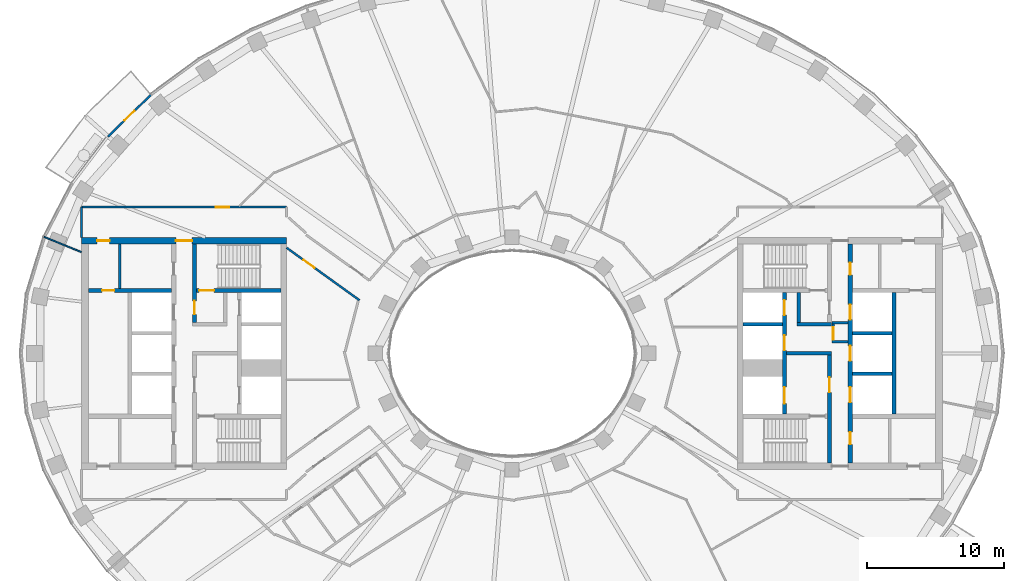
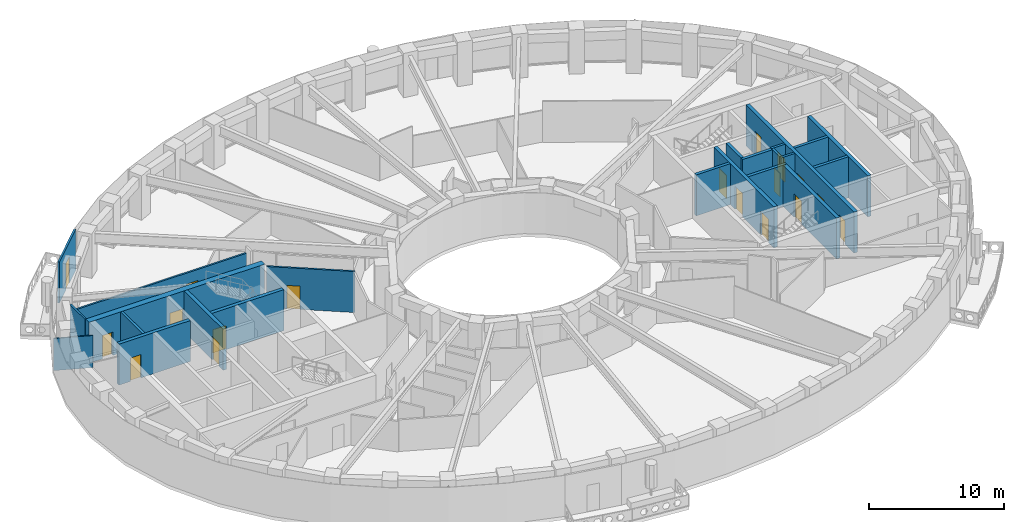
# One storey, part 5 of 16: 23 walls, 18 doors, 18 openings.
"""IFC4 building model written with IfcOpenShell, lengths in metres."""

from ifc_helpers import new_model, si_unit, direction, frame, frame_2d, origin, place, context, subcontext, project, spatial, rectangle, extrude, material, layer, layer_set, type_object, element, fill, save


model = new_model("IFC4")

# Units and contexts
model_context = context("Model", 3, precision=1e-05, world=origin(), true_north=direction((0.0, 1.0)))
body_context = subcontext(model_context, "Body", "Model", "MODEL_VIEW")
ifc_project = project(units=[si_unit("LENGTHUNIT", "METRE"), si_unit("AREAUNIT", "SQUARE_METRE"), si_unit("VOLUMEUNIT", "CUBIC_METRE"), si_unit("PLANEANGLEUNIT", "RADIAN"), si_unit("MASSUNIT", "GRAM", prefix="KILO")], contexts=[model_context])

# Site, building, storey
site_placement = place(None, origin())
site = spatial("IfcSite", under=ifc_project, at=site_placement, CompositionType="ELEMENT")
building_placement = place(site_placement, origin())
building = spatial("IfcBuilding", under=site, at=building_placement, Name="Noorbagh Ring Tower", CompositionType="ELEMENT")
storey_placement = place(building_placement, frame((0.0, 0.0, 178.0)))
storey = spatial("IfcBuildingStorey", under=building, at=storey_placement, Name="L41", CompositionType="ELEMENT", Elevation=178.0)

# Walls
ifc_material_1 = material(Name="Gypsum board on steel studs", Category="steel")
ifc_layer_1 = layer(ifc_material_1, 0.199951171875)
ifc_layer_set_1 = layer_set([ifc_layer_1], Name="Gypsum board on steel studs")
wall_type_1 = type_object("IfcWallType", Name="CORE-PARTITION-200", PredefinedType="PARTITIONING", material=ifc_layer_set_1)
wall_1_placement = place(storey_placement, frame((-28.699951171875, 4.75, 0.0), z_axis=(0.0, 0.0, 1.0), x_axis=(0.0, 1.0, 0.0)))
element("IfcWall", 1, at=wall_1_placement, inside=storey, type_object=wall_type_1, Name="Core partition W", PredefinedType="PARTITIONING", context=body_context, shape_type="SweptSolid", body=[
    extrude(rectangle(XDim=3.25, YDim=0.199951171875, at=frame_2d((1.625, 0.0))), origin(), (0.0, 0.0, 1.0), 3.699951171875),
])
for number, where, z_axis, x_axis, name in (
    (2, (23.39990234375, 0.85009765625, 0.0), (0.0, 0.0, 1.0), (1.0, 0.0, 0.0), "Core partition E"),
    (3, (23.39990234375, 2.25, 0.0), (0.0, 0.0, 1.0), (1.0, 0.0, 0.0), "Core partition E"),
):
    element("IfcWall", number, at=place(storey_placement, frame(where, z_axis=z_axis, x_axis=x_axis)), inside=storey, type_object=wall_type_1, Name=name, PredefinedType="PARTITIONING", context=body_context, shape_type="SweptSolid", body=[
        extrude(rectangle(XDim=1.2001953125, YDim=0.199951171875, at=frame_2d((0.60009765625, 0.0))), origin(), (0.0, 0.0, 1.0), 3.699951171875),
    ])

# Wall, opening, door
wall_2_placement = place(storey_placement, frame((23.5, 0.75, 0.0), z_axis=(0.0, 0.0, 1.0), x_axis=(0.0, 1.0, 0.0)))
wall_2 = element("IfcWall", 4, at=wall_2_placement, inside=storey, type_object=wall_type_1, Name="Core partition E", PredefinedType="PARTITIONING", context=body_context, shape_type="SweptSolid", body=[
    extrude(rectangle(XDim=1.60009765625, YDim=0.199951171875, at=frame_2d((0.800048828125, 0.0))), origin(), (0.0, 0.0, 1.0), 3.699951171875),
])
opening_1_placement = place(wall_2_placement, frame((0.25, 0.0, 0.0)))
opening_1 = element("IfcOpeningElement", 5, at=opening_1_placement, cuts=wall_2, Name="Opening L41-CE17", PredefinedType="OPENING", context=body_context, shape_type="SweptSolid", body=[
    extrude(rectangle(XDim=0.89990234375, YDim=2.10009765625, at=frame_2d((0.449951171875, 1.050048828125))), frame((0.0, 0.10986328125, 0.0), z_axis=(0.0, -1.0, 0.0), x_axis=(1.0, 0.0, 0.0)), (0.0, 0.0, 1.0), 0.219970703125),
])
ifc_material_2 = material(Name="Steel door leaf", Category="steel")
door_type_1 = type_object("IfcDoorType", Name="CORE-DOOR-DROOM", OperationType="SINGLE_SWING_LEFT", PredefinedType="DOOR", material=ifc_material_2)
door_1_placement = place(opening_1_placement, origin())
door_1 = element("IfcDoor", 6, at=door_1_placement, inside=storey, type_object=door_type_1, Name="Core room door L41-CE17", OperationType="SINGLE_SWING_LEFT", OverallHeight=2.10009765625, OverallWidth=0.89990234375, PredefinedType="DOOR", context=body_context, shape_type="SweptSolid", body=[
    extrude(rectangle(XDim=0.89990234375, YDim=2.10009765625, at=frame_2d((0.449951171875, 1.050048828125))), frame((0.0, 0.02490234375, 0.0), z_axis=(0.0, -1.0, 0.0), x_axis=(1.0, 0.0, 0.0)), (0.0, 0.0, 1.0), 0.050048828125),
])
fill(opening_1, door_1)

# Walls
ifc_material_3 = material(Name="Concrete C60/75", Category="concrete")
ifc_layer_2 = layer(ifc_material_3, 0.25)
ifc_layer_set_2 = layer_set([ifc_layer_2], Name="Concrete C60/75")
wall_type_2 = type_object("IfcWallType", Name="CORE-WALL-250-C60-75-EI120", PredefinedType="SHEAR", material=ifc_layer_set_2)
for number, where, z_axis, x_axis, name in (
    (7, (16.89990234375, 2.125, 0.0), (0.0, 0.0, 1.0), (1.0, 0.0, 0.0), "Core wall E"),
    (8, (24.89990234375, -1.47509765625, 0.0), (0.0, 0.0, 1.0), (1.0, 0.0, 0.0), "Core wall E"),
    (9, (24.89990234375, 1.47509765625, 0.0), (0.0, 0.0, 1.0), (1.0, 0.0, 0.0), "Core wall E"),
):
    element("IfcWall", number, at=place(storey_placement, frame(where, z_axis=z_axis, x_axis=x_axis)), inside=storey, type_object=wall_type_2, Name=name, PredefinedType="SHEAR", context=body_context, shape_type="SweptSolid", body=[
        extrude(rectangle(XDim=2.900146484375, YDim=0.25, at=frame_2d((1.4501953125, 0.0))), origin(), (0.0, 0.0, 1.0), 3.699951171875),
    ])
ifc_material_4 = material(Name="Concrete C60/75", Category="concrete")
ifc_layer_3 = layer(ifc_material_4, 0.25)
ifc_layer_set_3 = layer_set([ifc_layer_3], Name="Concrete C60/75")
wall_type_3 = type_object("IfcWallType", Name="CORE-WALL-250-C60-75-EI240", PredefinedType="SHEAR", material=ifc_layer_set_3)
wall_3_placement = place(storey_placement, frame((20.10009765625, 0.0, 0.0), z_axis=(0.0, 0.0, 1.0), x_axis=(1.0, 0.0, 0.0)))
element("IfcWall", 10, at=wall_3_placement, inside=storey, type_object=wall_type_3, Name="Core wall E", PredefinedType="SHEAR", context=body_context, shape_type="SweptSolid", body=[
    extrude(rectangle(XDim=3.27978515625, YDim=0.25, at=frame_2d((1.639892578125, 0.0))), origin(), (0.0, 0.0, 1.0), 3.699951171875),
])
wall_4_placement = place(storey_placement, frame((20.85009765625, 2.125, 0.0), z_axis=(0.0, 0.0, 1.0), x_axis=(1.0, 0.0, 0.0)))
element("IfcWall", 11, at=wall_4_placement, inside=storey, type_object=wall_type_3, Name="Core wall E", PredefinedType="SHEAR", context=body_context, shape_type="SweptSolid", body=[
    extrude(rectangle(XDim=2.52978515625, YDim=0.25, at=frame_2d((1.264892578125, 0.0))), origin(), (0.0, 0.0, 1.0), 3.699951171875),
])
wall_5_placement = place(storey_placement, frame((20.97509765625, 2.25, 0.0), z_axis=(0.0, 0.0, 1.0), x_axis=(0.0, 1.0, 0.0)))
element("IfcWall", 12, at=wall_5_placement, inside=storey, type_object=wall_type_3, Name="Core wall E", PredefinedType="SHEAR", context=body_context, shape_type="SweptSolid", body=[
    extrude(rectangle(XDim=2.199951171875, YDim=0.25, at=frame_2d((1.10009765625, 0.0))), origin(), (0.0, 0.0, 1.0), 3.699951171875),
])
ifc_material_5 = material(Name="Concrete C60/75", Category="concrete")
ifc_layer_4 = layer(ifc_material_5, 0.300048828125)
ifc_layer_set_4 = layer_set([ifc_layer_4], Name="Concrete C60/75")
wall_type_4 = type_object("IfcWallType", Name="CORE-WALL-300-C60-75-EI120", PredefinedType="SHEAR", material=ifc_layer_set_4)
wall_6_placement = place(storey_placement, frame((27.949951171875, -4.449951171875, 0.0), z_axis=(0.0, 0.0, 1.0), x_axis=(0.0, 1.0, 0.0)))
element("IfcWall", 13, at=wall_6_placement, inside=storey, type_object=wall_type_4, Name="Core wall E", PredefinedType="SHEAR", context=body_context, shape_type="SweptSolid", body=[
    extrude(rectangle(XDim=8.89990234375, YDim=0.300048828125, at=frame_2d((4.449951171875, 0.0))), origin(), (0.0, 0.0, 1.0), 3.699951171875),
])

# Wall, openings, doors
wall_7_placement = place(storey_placement, frame((19.949951171875, -4.449951171875, 0.0), z_axis=(0.0, 0.0, 1.0), x_axis=(0.0, 1.0, 0.0)))
wall_7 = element("IfcWall", 14, at=wall_7_placement, inside=storey, type_object=wall_type_4, Name="Core wall E", PredefinedType="SHEAR", context=body_context, shape_type="SweptSolid", body=[
    extrude(rectangle(XDim=8.89990234375, YDim=0.300048828125, at=frame_2d((4.449951171875, 0.0))), origin(), (0.0, 0.0, 1.0), 3.699951171875),
])
opening_2_placement = place(wall_7_placement, frame((0.77490234375, 0.0, 0.0)))
opening_2 = element("IfcOpeningElement", 15, at=opening_2_placement, cuts=wall_7, Name="Opening L41-CE01", PredefinedType="OPENING", context=body_context, shape_type="SweptSolid", body=[
    extrude(rectangle(XDim=1.199951171875, YDim=2.10009765625, at=frame_2d((0.60009765625, 1.050048828125))), frame((0.0, 0.16015625, 0.0), z_axis=(0.0, -1.0, 0.0), x_axis=(1.0, 0.0, 0.0)), (0.0, 0.0, 1.0), 0.320068359375),
])
opening_3_placement = place(wall_7_placement, frame((4.675048828125, 0.0, 0.0)))
opening_3 = element("IfcOpeningElement", 16, at=opening_3_placement, cuts=wall_7, Name="Opening L41-CE02", PredefinedType="OPENING", context=body_context, shape_type="SweptSolid", body=[
    extrude(rectangle(XDim=1.10009765625, YDim=2.10009765625, at=frame_2d((0.550048828125, 1.050048828125))), frame((0.0, 0.16015625, 0.0), z_axis=(0.0, -1.0, 0.0), x_axis=(1.0, 0.0, 0.0)), (0.0, 0.0, 1.0), 0.320068359375),
])
opening_4_placement = place(wall_7_placement, frame((7.25, 0.0, 0.0)))
opening_4 = element("IfcOpeningElement", 17, at=opening_4_placement, cuts=wall_7, Name="Opening L41-CE03", PredefinedType="OPENING", context=body_context, shape_type="SweptSolid", body=[
    extrude(rectangle(XDim=1.10009765625, YDim=2.10009765625, at=frame_2d((0.550048828125, 1.050048828125))), frame((0.0, 0.16015625, 0.0), z_axis=(0.0, -1.0, 0.0), x_axis=(1.0, 0.0, 0.0)), (0.0, 0.0, 1.0), 0.320068359375),
])
ifc_material_6 = material(Name="Steel door leaf", Category="steel")
door_type_2 = type_object("IfcDoorType", Name="CORE-DOOR-LD", OperationType="DOUBLE_DOOR_SLIDING", PredefinedType="DOOR", material=ifc_material_6)
door_2_placement = place(opening_3_placement, origin())
door_2 = element("IfcDoor", 18, at=door_2_placement, inside=storey, type_object=door_type_2, Name="Landing door HR7 L41-CE02", OperationType="DOUBLE_DOOR_SLIDING", OverallHeight=2.10009765625, OverallWidth=1.10009765625, PredefinedType="DOOR", context=body_context, shape_type="SweptSolid", body=[
    extrude(rectangle(XDim=1.10009765625, YDim=2.10009765625, at=frame_2d((0.550048828125, 1.050048828125))), frame((0.0, 0.02490234375, 0.0), z_axis=(0.0, -1.0, 0.0), x_axis=(1.0, 0.0, 0.0)), (0.0, 0.0, 1.0), 0.050048828125),
])
fill(opening_3, door_2)
door_3_placement = place(opening_4_placement, origin())
door_3 = element("IfcDoor", 19, at=door_3_placement, inside=storey, type_object=door_type_2, Name="Landing door HR8 L41-CE03", OperationType="DOUBLE_DOOR_SLIDING", OverallHeight=2.10009765625, OverallWidth=1.10009765625, PredefinedType="DOOR", context=body_context, shape_type="SweptSolid", body=[
    extrude(rectangle(XDim=1.10009765625, YDim=2.10009765625, at=frame_2d((0.550048828125, 1.050048828125))), frame((0.0, 0.02490234375, 0.0), z_axis=(0.0, -1.0, 0.0), x_axis=(1.0, 0.0, 0.0)), (0.0, 0.0, 1.0), 0.050048828125),
])
fill(opening_4, door_3)
ifc_material_7 = material(Name="Steel door leaf", Category="steel")
door_type_3 = type_object("IfcDoorType", Name="CORE-DOOR-LDW", OperationType="DOUBLE_DOOR_SLIDING", PredefinedType="DOOR", material=ifc_material_7)
door_4_placement = place(opening_2_placement, origin())
door_4 = element("IfcDoor", 20, at=door_4_placement, inside=storey, type_object=door_type_3, Name="Landing door FF2 L41-CE01", OperationType="DOUBLE_DOOR_SLIDING", OverallHeight=2.10009765625, OverallWidth=1.199951171875, PredefinedType="DOOR", context=body_context, shape_type="SweptSolid", body=[
    extrude(rectangle(XDim=1.199951171875, YDim=2.10009765625, at=frame_2d((0.60009765625, 1.050048828125))), frame((0.0, 0.02490234375, 0.0), z_axis=(0.0, -1.0, 0.0), x_axis=(1.0, 0.0, 0.0)), (0.0, 0.0, 1.0), 0.050048828125),
])
fill(opening_2, door_4)

wall_8_placement = place(storey_placement, frame((24.75, -8.0, 0.0), z_axis=(0.0, 0.0, 1.0), x_axis=(0.0, 1.0, 0.0)))
wall_8 = element("IfcWall", 21, at=wall_8_placement, inside=storey, type_object=wall_type_4, Name="Core wall E", PredefinedType="SHEAR", context=body_context, shape_type="SweptSolid", body=[
    extrude(rectangle(XDim=16.0, YDim=0.300048828125, at=frame_2d((8.0, 0.0))), origin(), (0.0, 0.0, 1.0), 3.699951171875),
])
opening_5_placement = place(wall_8_placement, frame((4.425048828125, 0.0, 0.0)))
opening_5 = element("IfcOpeningElement", 22, at=opening_5_placement, cuts=wall_8, Name="Opening L41-CE04", PredefinedType="OPENING", context=body_context, shape_type="SweptSolid", body=[
    extrude(rectangle(XDim=1.10009765625, YDim=2.10009765625, at=frame_2d((0.550048828125, 1.050048828125))), frame((0.0, 0.16015625, 0.0), z_axis=(0.0, -1.0, 0.0), x_axis=(1.0, 0.0, 0.0)), (0.0, 0.0, 1.0), 0.320068359375),
])
opening_6_placement = place(wall_8_placement, frame((7.449951171875, 0.0, 0.0)))
opening_6 = element("IfcOpeningElement", 23, at=opening_6_placement, cuts=wall_8, Name="Opening L41-CE05", PredefinedType="OPENING", context=body_context, shape_type="SweptSolid", body=[
    extrude(rectangle(XDim=1.10009765625, YDim=2.10009765625, at=frame_2d((0.550048828125, 1.050048828125))), frame((0.0, 0.16015625, 0.0), z_axis=(0.0, -1.0, 0.0), x_axis=(1.0, 0.0, 0.0)), (0.0, 0.0, 1.0), 0.320068359375),
])
opening_7_placement = place(wall_8_placement, frame((10.47509765625, 0.0, 0.0)))
opening_7 = element("IfcOpeningElement", 24, at=opening_7_placement, cuts=wall_8, Name="Opening L41-CE06", PredefinedType="OPENING", context=body_context, shape_type="SweptSolid", body=[
    extrude(rectangle(XDim=1.10009765625, YDim=2.10009765625, at=frame_2d((0.550048828125, 1.050048828125))), frame((0.0, 0.16015625, 0.0), z_axis=(0.0, -1.0, 0.0), x_axis=(1.0, 0.0, 0.0)), (0.0, 0.0, 1.0), 0.320068359375),
])
opening_8_placement = place(wall_8_placement, frame((13.75, 0.0, 0.0)))
opening_8 = element("IfcOpeningElement", 25, at=opening_8_placement, cuts=wall_8, Name="Opening L41-CE13", PredefinedType="OPENING", context=body_context, shape_type="SweptSolid", body=[
    extrude(rectangle(XDim=0.89990234375, YDim=2.10009765625, at=frame_2d((0.449951171875, 1.050048828125))), frame((0.0, 0.16015625, 0.0), z_axis=(0.0, -1.0, 0.0), x_axis=(1.0, 0.0, 0.0)), (0.0, 0.0, 1.0), 0.320068359375),
])
opening_9_placement = place(wall_8_placement, frame((1.35009765625, 0.0, 0.0)))
opening_9 = element("IfcOpeningElement", 26, at=opening_9_placement, cuts=wall_8, Name="Opening L41-CE15", PredefinedType="OPENING", context=body_context, shape_type="SweptSolid", body=[
    extrude(rectangle(XDim=0.89990234375, YDim=2.10009765625, at=frame_2d((0.449951171875, 1.050048828125))), frame((0.0, 0.16015625, 0.0), z_axis=(0.0, -1.0, 0.0), x_axis=(1.0, 0.0, 0.0)), (0.0, 0.0, 1.0), 0.320068359375),
])
door_5_placement = place(opening_8_placement, origin())
door_5 = element("IfcDoor", 27, at=door_5_placement, inside=storey, type_object=door_type_1, Name="Core room door L41-CE13", OperationType="SINGLE_SWING_LEFT", OverallHeight=2.10009765625, OverallWidth=0.89990234375, PredefinedType="DOOR", context=body_context, shape_type="SweptSolid", body=[
    extrude(rectangle(XDim=0.89990234375, YDim=2.10009765625, at=frame_2d((0.449951171875, 1.050048828125))), frame((0.0, 0.02490234375, 0.0), z_axis=(0.0, -1.0, 0.0), x_axis=(1.0, 0.0, 0.0)), (0.0, 0.0, 1.0), 0.050048828125),
])
fill(opening_8, door_5)
door_6_placement = place(opening_9_placement, origin())
door_6 = element("IfcDoor", 28, at=door_6_placement, inside=storey, type_object=door_type_1, Name="Core room door L41-CE15", OperationType="SINGLE_SWING_RIGHT", OverallHeight=2.10009765625, OverallWidth=0.89990234375, PredefinedType="DOOR", context=body_context, shape_type="SweptSolid", body=[
    extrude(rectangle(XDim=0.89990234375, YDim=2.10009765625, at=frame_2d((0.449951171875, 1.050048828125))), frame((0.0, 0.02490234375, 0.0), z_axis=(0.0, -1.0, 0.0), x_axis=(1.0, 0.0, 0.0)), (0.0, 0.0, 1.0), 0.050048828125),
])
fill(opening_9, door_6)
door_7_placement = place(opening_5_placement, origin())
door_7 = element("IfcDoor", 29, at=door_7_placement, inside=storey, type_object=door_type_2, Name="Landing door HR9 L41-CE04", OperationType="DOUBLE_DOOR_SLIDING", OverallHeight=2.10009765625, OverallWidth=1.10009765625, PredefinedType="DOOR", context=body_context, shape_type="SweptSolid", body=[
    extrude(rectangle(XDim=1.10009765625, YDim=2.10009765625, at=frame_2d((0.550048828125, 1.050048828125))), frame((0.0, 0.02490234375, 0.0), z_axis=(0.0, -1.0, 0.0), x_axis=(1.0, 0.0, 0.0)), (0.0, 0.0, 1.0), 0.050048828125),
])
fill(opening_5, door_7)
door_8_placement = place(opening_6_placement, origin())
door_8 = element("IfcDoor", 30, at=door_8_placement, inside=storey, type_object=door_type_2, Name="Landing door HR10 L41-CE05", OperationType="DOUBLE_DOOR_SLIDING", OverallHeight=2.10009765625, OverallWidth=1.10009765625, PredefinedType="DOOR", context=body_context, shape_type="SweptSolid", body=[
    extrude(rectangle(XDim=1.10009765625, YDim=2.10009765625, at=frame_2d((0.550048828125, 1.050048828125))), frame((0.0, 0.02490234375, 0.0), z_axis=(0.0, -1.0, 0.0), x_axis=(1.0, 0.0, 0.0)), (0.0, 0.0, 1.0), 0.050048828125),
])
fill(opening_6, door_8)
door_9_placement = place(opening_7_placement, origin())
door_9 = element("IfcDoor", 31, at=door_9_placement, inside=storey, type_object=door_type_2, Name="Landing door HR11 L41-CE06", OperationType="DOUBLE_DOOR_SLIDING", OverallHeight=2.10009765625, OverallWidth=1.10009765625, PredefinedType="DOOR", context=body_context, shape_type="SweptSolid", body=[
    extrude(rectangle(XDim=1.10009765625, YDim=2.10009765625, at=frame_2d((0.550048828125, 1.050048828125))), frame((0.0, 0.02490234375, 0.0), z_axis=(0.0, -1.0, 0.0), x_axis=(1.0, 0.0, 0.0)), (0.0, 0.0, 1.0), 0.050048828125),
])
fill(opening_7, door_9)

# Wall, opening, door
ifc_material_8 = material(Name="Concrete C60/75", Category="concrete")
ifc_layer_5 = layer(ifc_material_8, 0.300048828125)
ifc_layer_set_5 = layer_set([ifc_layer_5], Name="Concrete C60/75")
wall_type_5 = type_object("IfcWallType", Name="CORE-WALL-300-C60-75-EI240", PredefinedType="SHEAR", material=ifc_layer_set_5)
wall_9_placement = place(storey_placement, frame((-24.89990234375, 4.60009765625, 0.0), z_axis=(0.0, 0.0, 1.0), x_axis=(-1.0, 0.0, 0.0)))
wall_9 = element("IfcWall", 32, at=wall_9_placement, inside=storey, type_object=wall_type_5, Name="Core wall W", PredefinedType="SHEAR", context=body_context, shape_type="SweptSolid", body=[
    extrude(rectangle(XDim=6.10009765625, YDim=0.300048828125, at=frame_2d((3.050048828125, 0.0))), origin(), (0.0, 0.0, 1.0), 3.699951171875),
])
opening_10_placement = place(wall_9_placement, frame((4.199951171875, 0.0, 0.0)))
opening_10 = element("IfcOpeningElement", 33, at=opening_10_placement, cuts=wall_9, Name="Opening L41-CW16", PredefinedType="OPENING", context=body_context, shape_type="SweptSolid", body=[
    extrude(rectangle(XDim=0.89990234375, YDim=2.10009765625, at=frame_2d((0.449951171875, 1.050048828125))), frame((0.0, 0.16015625, 0.0), z_axis=(0.0, -1.0, 0.0), x_axis=(1.0, 0.0, 0.0)), (0.0, 0.0, 1.0), 0.320068359375),
])
door_10_placement = place(opening_10_placement, origin())
door_10 = element("IfcDoor", 34, at=door_10_placement, inside=storey, type_object=door_type_1, Name="Core room door L41-CW16", OperationType="SINGLE_SWING_LEFT", OverallHeight=2.10009765625, OverallWidth=0.89990234375, PredefinedType="DOOR", context=body_context, shape_type="SweptSolid", body=[
    extrude(rectangle(XDim=0.89990234375, YDim=2.10009765625, at=frame_2d((0.449951171875, 1.050048828125))), frame((0.0, 0.02490234375, 0.0), z_axis=(0.0, -1.0, 0.0), x_axis=(1.0, 0.0, 0.0)), (0.0, 0.0, 1.0), 0.050048828125),
])
fill(opening_10, door_10)

wall_10_placement = place(storey_placement, frame((-23.22998046875, 2.25, 0.0), z_axis=(0.0, 0.0, 1.0), x_axis=(0.0, 1.0, 0.0)))
wall_10 = element("IfcWall", 35, at=wall_10_placement, inside=storey, type_object=wall_type_5, Name="Core wall W", PredefinedType="SHEAR", context=body_context, shape_type="SweptSolid", body=[
    extrude(rectangle(XDim=5.75, YDim=0.300048828125, at=frame_2d((2.875, 0.0))), origin(), (0.0, 0.0, 1.0), 3.699951171875),
])
opening_11_placement = place(wall_10_placement, frame((0.60009765625, 0.0, 0.0)))
opening_11 = element("IfcOpeningElement", 36, at=opening_11_placement, cuts=wall_10, Name="Opening L41-CW09", PredefinedType="OPENING", context=body_context, shape_type="SweptSolid", body=[
    extrude(rectangle(XDim=1.0, YDim=2.10009765625, at=frame_2d((0.5, 1.050048828125))), frame((0.0, 0.16015625, 0.0), z_axis=(0.0, -1.0, 0.0), x_axis=(1.0, 0.0, 0.0)), (0.0, 0.0, 1.0), 0.320068359375),
])
ifc_material_9 = material(Name="Steel door leaf", Category="steel")
door_type_4 = type_object("IfcDoorType", Name="CORE-DOOR-DVEST", OperationType="SINGLE_SWING_LEFT", PredefinedType="DOOR", material=ifc_material_9)
door_11_placement = place(opening_11_placement, origin())
door_11 = element("IfcDoor", 37, at=door_11_placement, inside=storey, type_object=door_type_4, Name="Stair vestibule door L41-CW09", OperationType="SINGLE_SWING_LEFT", OverallHeight=2.10009765625, OverallWidth=1.0, PredefinedType="DOOR", context=body_context, shape_type="SweptSolid", body=[
    extrude(rectangle(XDim=1.0, YDim=2.10009765625, at=frame_2d((0.5, 1.050048828125))), frame((0.0, 0.02490234375, 0.0), z_axis=(0.0, -1.0, 0.0), x_axis=(1.0, 0.0, 0.0)), (0.0, 0.0, 1.0), 0.050048828125),
])
fill(opening_11, door_11)

wall_11_placement = place(storey_placement, frame((-16.89990234375, 4.60009765625, 0.0), z_axis=(0.0, 0.0, 1.0), x_axis=(-1.0, 0.0, 0.0)))
wall_11 = element("IfcWall", 38, at=wall_11_placement, inside=storey, type_object=wall_type_5, Name="Core wall W", PredefinedType="SHEAR", context=body_context, shape_type="SweptSolid", body=[
    extrude(rectangle(XDim=6.18017578125, YDim=0.300048828125, at=frame_2d((3.090087890625, 0.0))), origin(), (0.0, 0.0, 1.0), 3.699951171875),
])
opening_12_placement = place(wall_11_placement, frame((4.89990234375, 0.0, 0.0)))
opening_12 = element("IfcOpeningElement", 39, at=opening_12_placement, cuts=wall_11, Name="Opening L41-CW06", PredefinedType="OPENING", context=body_context, shape_type="SweptSolid", body=[
    extrude(rectangle(XDim=1.10009765625, YDim=2.10009765625, at=frame_2d((0.550048828125, 1.050048828125))), frame((0.0, 0.16015625, 0.0), z_axis=(0.0, -1.0, 0.0), x_axis=(1.0, 0.0, 0.0)), (0.0, 0.0, 1.0), 0.320068359375),
])
ifc_material_10 = material(Name="Steel door leaf", Category="steel")
door_type_5 = type_object("IfcDoorType", Name="CORE-DOOR-DSTAIR", OperationType="SINGLE_SWING_LEFT", PredefinedType="DOOR", material=ifc_material_10)
door_12_placement = place(opening_12_placement, origin())
door_12 = element("IfcDoor", 40, at=door_12_placement, inside=storey, type_object=door_type_5, Name="Stair door ST1 L41-CW06", OperationType="SINGLE_SWING_RIGHT", OverallHeight=2.10009765625, OverallWidth=1.10009765625, PredefinedType="DOOR", context=body_context, shape_type="SweptSolid", body=[
    extrude(rectangle(XDim=1.10009765625, YDim=2.10009765625, at=frame_2d((0.550048828125, 1.050048828125))), frame((0.0, 0.02490234375, 0.0), z_axis=(0.0, -1.0, 0.0), x_axis=(1.0, 0.0, 0.0)), (0.0, 0.0, 1.0), 0.050048828125),
])
fill(opening_12, door_12)

wall_12_placement = place(storey_placement, frame((23.22998046875, -8.0, 0.0), z_axis=(0.0, 0.0, 1.0), x_axis=(0.0, 1.0, 0.0)))
wall_12 = element("IfcWall", 41, at=wall_12_placement, inside=storey, type_object=wall_type_5, Name="Core wall E", PredefinedType="SHEAR", context=body_context, shape_type="SweptSolid", body=[
    extrude(rectangle(XDim=7.875, YDim=0.300048828125, at=frame_2d((3.9375, 0.0))), origin(), (0.0, 0.0, 1.0), 3.699951171875),
])
opening_13_placement = place(wall_12_placement, frame((5.14990234375, 0.0, 0.0)))
opening_13 = element("IfcOpeningElement", 42, at=opening_13_placement, cuts=wall_12, Name="Opening L41-CE09", PredefinedType="OPENING", context=body_context, shape_type="SweptSolid", body=[
    extrude(rectangle(XDim=1.10009765625, YDim=2.10009765625, at=frame_2d((0.550048828125, 1.050048828125))), frame((0.0, 0.16015625, 0.0), z_axis=(0.0, -1.0, 0.0), x_axis=(1.0, 0.0, 0.0)), (0.0, 0.0, 1.0), 0.320068359375),
])
ifc_material_11 = material(Name="Steel door leaf", Category="steel")
door_type_6 = type_object("IfcDoorType", Name="CORE-DOOR-DFF", OperationType="SINGLE_SWING_LEFT", PredefinedType="DOOR", material=ifc_material_11)
door_13_placement = place(opening_13_placement, origin())
door_13 = element("IfcDoor", 43, at=door_13_placement, inside=storey, type_object=door_type_6, Name="Firefighting lobby door L41-CE09", OperationType="SINGLE_SWING_RIGHT", OverallHeight=2.10009765625, OverallWidth=1.10009765625, PredefinedType="DOOR", context=body_context, shape_type="SweptSolid", body=[
    extrude(rectangle(XDim=1.10009765625, YDim=2.10009765625, at=frame_2d((0.550048828125, 1.050048828125))), frame((0.0, 0.02490234375, 0.0), z_axis=(0.0, -1.0, 0.0), x_axis=(1.0, 0.0, 0.0)), (0.0, 0.0, 1.0), 0.050048828125),
])
fill(opening_13, door_13)

# Wall, openings, doors
ifc_material_12 = material(Name="Concrete C60/75", Category="concrete")
ifc_layer_6 = layer(ifc_material_12, 0.5)
ifc_layer_set_6 = layer_set([ifc_layer_6], Name="Concrete C60/75")
wall_type_6 = type_object("IfcWallType", Name="CORE-WALL-500-C60-75-EI240", PredefinedType="SHEAR", material=ifc_layer_set_6)
wall_13_placement = place(storey_placement, frame((-16.5, 8.25, 0.0), z_axis=(0.0, 0.0, 1.0), x_axis=(-1.0, 0.0, 0.0)))
wall_13 = element("IfcWall", 44, at=wall_13_placement, inside=storey, type_object=wall_type_6, Name="Core wall W", PredefinedType="SHEAR", context=body_context, shape_type="SweptSolid", body=[
    extrude(rectangle(XDim=15.0, YDim=0.5, at=frame_2d((7.5, 0.0))), origin(), (0.0, 0.0, 1.0), 3.699951171875),
])
opening_14_placement = place(wall_13_placement, frame((6.89990234375, 0.0, 0.0)))
opening_14 = element("IfcOpeningElement", 45, at=opening_14_placement, cuts=wall_13, Name="Opening L41-CW10", PredefinedType="OPENING", context=body_context, shape_type="SweptSolid", body=[
    extrude(rectangle(XDim=1.199951171875, YDim=2.10009765625, at=frame_2d((0.60009765625, 1.050048828125))), frame((0.0, 0.260009765625, 0.0), z_axis=(0.0, -1.0, 0.0), x_axis=(1.0, 0.0, 0.0)), (0.0, 0.0, 1.0), 0.52001953125),
])
opening_15_placement = place(wall_13_placement, frame((12.949951171875, 0.0, 0.0)))
opening_15 = element("IfcOpeningElement", 46, at=opening_15_placement, cuts=wall_13, Name="Opening L41-CW13", PredefinedType="OPENING", context=body_context, shape_type="SweptSolid", body=[
    extrude(rectangle(XDim=0.89990234375, YDim=2.10009765625, at=frame_2d((0.449951171875, 1.050048828125))), frame((0.0, 0.260009765625, 0.0), z_axis=(0.0, -1.0, 0.0), x_axis=(1.0, 0.0, 0.0)), (0.0, 0.0, 1.0), 0.52001953125),
])
door_14_placement = place(opening_15_placement, origin())
door_14 = element("IfcDoor", 47, at=door_14_placement, inside=storey, type_object=door_type_1, Name="Core room door L41-CW13", OperationType="SINGLE_SWING_RIGHT", OverallHeight=2.10009765625, OverallWidth=0.89990234375, PredefinedType="DOOR", context=body_context, shape_type="SweptSolid", body=[
    extrude(rectangle(XDim=0.89990234375, YDim=2.10009765625, at=frame_2d((0.449951171875, 1.050048828125))), frame((0.0, 0.02490234375, 0.0), z_axis=(0.0, -1.0, 0.0), x_axis=(1.0, 0.0, 0.0)), (0.0, 0.0, 1.0), 0.050048828125),
])
fill(opening_15, door_14)
ifc_material_13 = material(Name="Steel door leaf", Category="steel")
door_type_7 = type_object("IfcDoorType", Name="CORE-DOOR-PORT", OperationType="DOUBLE_DOOR_DOUBLE_SWING", PredefinedType="DOOR", material=ifc_material_13)
door_15_placement = place(opening_14_placement, origin())
door_15 = element("IfcDoor", 48, at=door_15_placement, inside=storey, type_object=door_type_7, Name="Core entrance door L41-CW10", OperationType="DOUBLE_DOOR_DOUBLE_SWING", OverallHeight=2.10009765625, OverallWidth=1.199951171875, PredefinedType="DOOR", context=body_context, shape_type="SweptSolid", body=[
    extrude(rectangle(XDim=1.199951171875, YDim=2.10009765625, at=frame_2d((0.60009765625, 1.050048828125))), frame((0.0, 0.02490234375, 0.0), z_axis=(0.0, -1.0, 0.0), x_axis=(1.0, 0.0, 0.0)), (0.0, 0.0, 1.0), 0.050048828125),
])
fill(opening_14, door_15)

# Wall
ifc_material_14 = material(Name="Gypsum board on steel studs", Category="steel")
ifc_layer_7 = layer(ifc_material_14, 0.14990234375)
ifc_layer_set_7 = layer_set([ifc_layer_7], Name="Gypsum board on steel studs")
wall_type_7 = type_object("IfcWallType", Name="CORRIDOR PARTITION 150 EI 30", PredefinedType="PARTITIONING", material=ifc_layer_set_7)
wall_14_placement = place(storey_placement, frame((-31.5, 8.5, 0.0), z_axis=(0.0, 0.0, 1.0), x_axis=(0.0, 1.0, 0.0)))
element("IfcWall", 49, at=wall_14_placement, inside=storey, type_object=wall_type_7, Name="L41/wall/P04", PredefinedType="PARTITIONING", context=body_context, shape_type="SweptSolid", body=[
    extrude(rectangle(XDim=2.199951171875, YDim=0.14990234375, at=frame_2d((1.10009765625, 0.0))), origin(), (0.0, 0.0, 1.0), 3.699951171875),
])

# Wall, opening, door
wall_15_placement = place(storey_placement, frame((-31.5, 10.699951171875, 0.0), z_axis=(0.0, 0.0, 1.0), x_axis=(1.0, 0.0, 0.0)))
wall_15 = element("IfcWall", 50, at=wall_15_placement, inside=storey, type_object=wall_type_7, Name="L41/wall/P05", PredefinedType="PARTITIONING", context=body_context, shape_type="SweptSolid", body=[
    extrude(rectangle(XDim=15.0, YDim=0.14990234375, at=frame_2d((7.5, 0.0))), origin(), (0.0, 0.0, 1.0), 3.10009765625),
])
opening_16_placement = place(wall_15_placement, frame((9.819091796875, 0.0, 0.0)))
opening_16 = element("IfcOpeningElement", 51, at=opening_16_placement, cuts=wall_15, Name="Opening D1", PredefinedType="OPENING", context=body_context, shape_type="SweptSolid", body=[
    extrude(rectangle(XDim=1.0, YDim=2.10009765625, at=frame_2d((0.5, 1.050048828125))), frame((0.0, 0.0849609375, 0.0), z_axis=(0.0, -1.0, 0.0), x_axis=(1.0, 0.0, 0.0)), (0.0, 0.0, 1.0), 0.169921875),
])
ifc_material_15 = material(Name="Timber, painted", Category="wood")
door_type_8 = type_object("IfcDoorType", Name="DOOR 1000 X 2100 FD30", OperationType="SINGLE_SWING_LEFT", PredefinedType="DOOR", material=ifc_material_15)
door_16_placement = place(opening_16_placement, origin())
door_16 = element("IfcDoor", 52, at=door_16_placement, inside=storey, type_object=door_type_8, Name="L41-D07", OperationType="SINGLE_SWING_LEFT", OverallHeight=2.10009765625, OverallWidth=1.0, PredefinedType="DOOR", context=body_context, shape_type="SweptSolid", body=[
    extrude(rectangle(XDim=1.0, YDim=2.10009765625, at=frame_2d((0.5, 1.050048828125))), frame((0.0, 0.02490234375, 0.0), z_axis=(0.0, -1.0, 0.0), x_axis=(1.0, 0.0, 0.0)), (0.0, 0.0, 1.0), 0.050048828125),
])
fill(opening_16, door_16)

wall_16_placement = place(storey_placement, frame((-16.5, 7.735107421875, 0.0), z_axis=(0.0, 0.0, 1.0), x_axis=(0.811616692984, -0.584190331715, 0.0)))
wall_16 = element("IfcWall", 53, at=wall_16_placement, inside=storey, type_object=wall_type_7, Name="L41/wall/P17", PredefinedType="PARTITIONING", context=body_context, shape_type="SweptSolid", body=[
    extrude(rectangle(XDim=6.578369140625, YDim=0.14990234375, at=frame_2d((3.2890625, 0.0))), origin(), (0.0, 0.0, 1.0), 3.699951171875),
])
opening_17_placement = place(wall_16_placement, frame((1.514892578125, 0.0, 0.0)))
opening_17 = element("IfcOpeningElement", 54, at=opening_17_placement, cuts=wall_16, Name="Opening D1", PredefinedType="OPENING", context=body_context, shape_type="SweptSolid", body=[
    extrude(rectangle(XDim=1.0, YDim=2.10009765625, at=frame_2d((0.5, 1.050048828125))), frame((0.0, 0.0849609375, 0.0), z_axis=(0.0, -1.0, 0.0), x_axis=(1.0, 0.0, 0.0)), (0.0, 0.0, 1.0), 0.169921875),
])
door_17_placement = place(opening_17_placement, origin())
door_17 = element("IfcDoor", 55, at=door_17_placement, inside=storey, type_object=door_type_8, Name="L41-D17", OperationType="SINGLE_SWING_LEFT", OverallHeight=2.10009765625, OverallWidth=1.0, PredefinedType="DOOR", context=body_context, shape_type="SweptSolid", body=[
    extrude(rectangle(XDim=1.0, YDim=2.10009765625, at=frame_2d((0.5, 1.050048828125))), frame((0.0, 0.02490234375, 0.0), z_axis=(0.0, -1.0, 0.0), x_axis=(1.0, 0.0, 0.0)), (0.0, 0.0, 1.0), 0.050048828125),
])
fill(opening_17, door_17)

ifc_material_16 = material(Name="Insulated aluminium clad panel", Category="aluminium")
ifc_layer_8 = layer(ifc_material_16, 0.14990234375)
ifc_layer_set_8 = layer_set([ifc_layer_8], Name="Insulated aluminium clad panel")
wall_type_8 = type_object("IfcWallType", Name="ENV-WALL-DOOR", PredefinedType="STANDARD", material=ifc_layer_set_8)
wall_17_placement = place(storey_placement, frame((-26.396484375, 18.943359375, 0.0), z_axis=(0.0, 0.0, 1.0), x_axis=(-0.717214761864, -0.696852197647, 0.0)))
wall_17 = element("IfcWall", 56, at=wall_17_placement, inside=storey, type_object=wall_type_8, Name="Balcony door wall chord 19", PredefinedType="STANDARD", context=body_context, shape_type="SweptSolid", body=[
    extrude(rectangle(XDim=4.424072265625, YDim=0.14990234375, at=frame_2d((2.2119140625, 0.0))), origin(), (0.0, 0.0, 1.0), 3.699951171875),
])
opening_18_placement = place(wall_17_placement, frame((1.712158203125, 0.0, 0.0)))
opening_18 = element("IfcOpeningElement", 57, at=opening_18_placement, cuts=wall_17, Name="Opening D-BL", PredefinedType="OPENING", context=body_context, shape_type="SweptSolid", body=[
    extrude(rectangle(XDim=1.0, YDim=2.39990234375, at=frame_2d((0.5, 1.199951171875))), frame((0.0, 0.0849609375, 0.0), z_axis=(0.0, -1.0, 0.0), x_axis=(1.0, 0.0, 0.0)), (0.0, 0.0, 1.0), 0.169921875),
])
ifc_material_17 = material(Name="Aluminium and glass", Category="aluminium")
door_type_9 = type_object("IfcDoorType", Name="ENV-DOOR-BALCONY", OperationType="SINGLE_SWING_LEFT", PredefinedType="DOOR", material=ifc_material_17)
door_18_placement = place(opening_18_placement, origin())
door_18 = element("IfcDoor", 58, at=door_18_placement, inside=storey, type_object=door_type_9, Name="Balcony door chord 19", OperationType="SINGLE_SWING_RIGHT", OverallHeight=2.39990234375, OverallWidth=1.0, PredefinedType="DOOR", context=body_context, shape_type="SweptSolid", body=[
    extrude(rectangle(XDim=1.0, YDim=2.39990234375, at=frame_2d((0.5, 1.199951171875))), frame((0.0, 0.02490234375, 0.0), z_axis=(0.0, -1.0, 0.0), x_axis=(1.0, 0.0, 0.0)), (0.0, 0.0, 1.0), 0.050048828125),
])
fill(opening_18, door_18)

# Wall
ifc_material_18 = material(Name="Gypsum board on steel studs", Category="steel")
ifc_layer_9 = layer(ifc_material_18, 0.10009765625)
ifc_layer_set_9 = layer_set([ifc_layer_9], Name="Gypsum board on steel studs")
wall_type_9 = type_object("IfcWallType", Name="PARTITION 100 GYPSUM", PredefinedType="PARTITIONING", material=ifc_layer_set_9)
wall_18_placement = place(storey_placement, frame((-34.23388671875, 8.530029296875, 0.0), z_axis=(0.0, 0.0, 1.0), x_axis=(0.925344112436, -0.379128307542, 0.0)))
element("IfcWall", 59, at=wall_18_placement, inside=storey, type_object=wall_type_9, Name="L41/wall/P01", PredefinedType="PARTITIONING", context=body_context, shape_type="SweptSolid", body=[
    extrude(rectangle(XDim=2.954345703125, YDim=0.10009765625, at=frame_2d((1.47705078125, 0.0))), origin(), (0.0, 0.0, 1.0), 2.89990234375),
])

save(model, "model.ifc")
